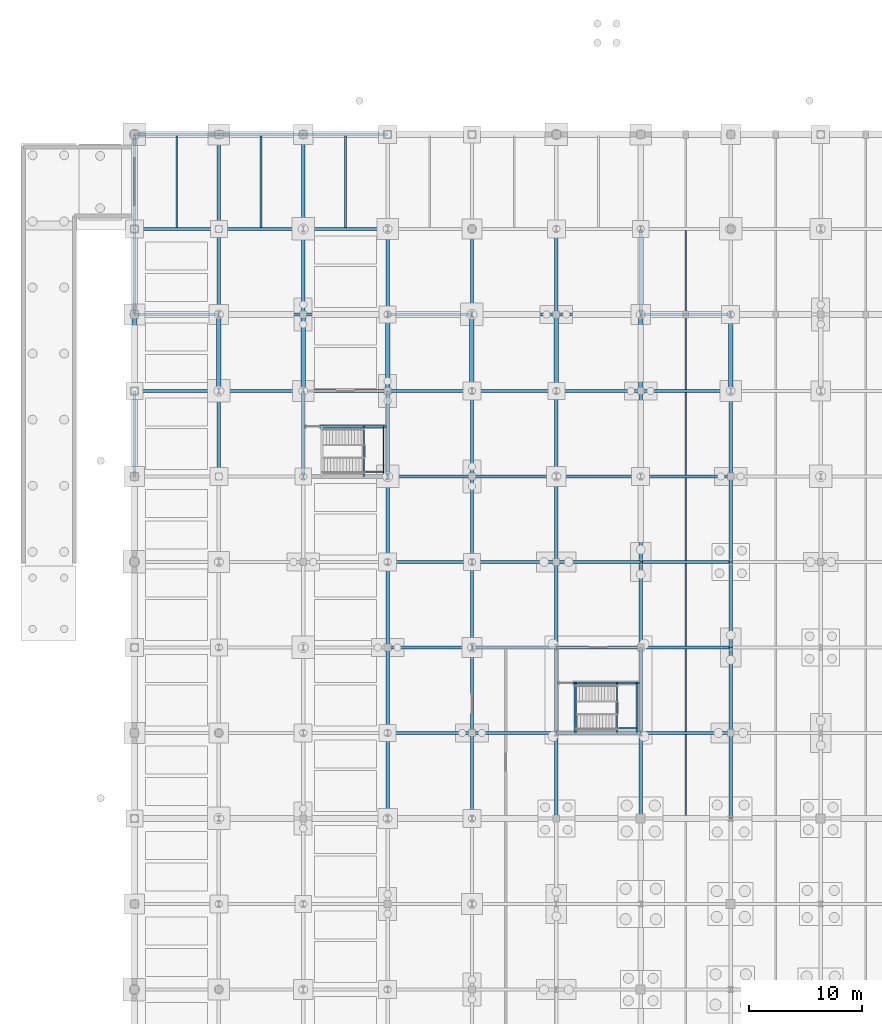
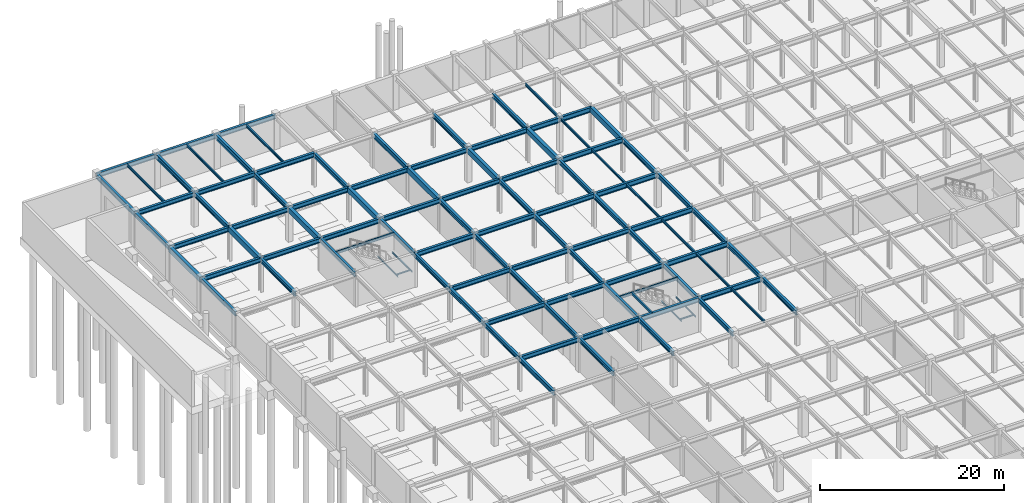
# One storey, part 32 of 53: 101 beams.
"""IFC4 building model written with IfcOpenShell, lengths in metres."""

from ifc_helpers import new_model, si_unit, direction, frame, origin, origin_2d, place, context, subcontext, project, spatial, rectangle, hollow_rectangle, i_section, extrude, material, material_profile, profile_set, type_object, element, save


model = new_model("IFC4")

# Units and contexts
model_context = context("Model", 3, precision=1e-05, world=origin(), true_north=direction((0.0, 1.0)))
body_context = subcontext(model_context, "Body", "Model", "MODEL_VIEW")
ifc_project = project(units=[si_unit("LENGTHUNIT", "METRE"), si_unit("AREAUNIT", "SQUARE_METRE"), si_unit("VOLUMEUNIT", "CUBIC_METRE"), si_unit("PLANEANGLEUNIT", "RADIAN"), si_unit("MASSUNIT", "GRAM", prefix="KILO")], contexts=[model_context])

# Site, building, storey
site_placement = place(None, origin())
site = spatial("IfcSite", under=ifc_project, at=site_placement, CompositionType="ELEMENT")
building_placement = place(site_placement, origin())
building = spatial("IfcBuilding", under=site, at=building_placement, Name="Shalkamar Park Central Library", CompositionType="ELEMENT")
storey_placement = place(building_placement, frame((0.0, 0.0, -4.800048828125)))
storey = spatial("IfcBuildingStorey", under=building, at=storey_placement, Name="B1", CompositionType="ELEMENT", Elevation=-4.800048828125)

# Beams
ifc_material_1 = material(Name="Steel S355", Category="steel")
ifc_material_profile_1 = material_profile(ifc_material_1, i_section(OverallWidth=0.10009765625, OverallDepth=0.199951171875, WebThickness=0.005615234375, FlangeThickness=0.008544921875, FilletRadius=0.011962890625, at=origin_2d()), Name="IPE 200")
ifc_profile_set_1 = profile_set([ifc_material_profile_1], Name="Steel S355")
beam_type_1 = type_object("IfcBeamType", Name="Composite Floor Joist IPE200", PredefinedType="JOIST", material=ifc_profile_set_1)
for number, where, z_axis, x_axis, name in (
    (1, (162.875, 300.800048828125, 2.02001953125), (0.0, 1.0, 0.0), (-1.0, 0.0, 0.0), "Stair Half-Landing Beam ST-P2-B1-1"),
    (2, (164.64501953125, 300.800048828125, 2.02001953125), (0.0, 1.0, 0.0), (-1.0, 0.0, 0.0), "Stair Half-Landing Beam ST-P2-B1-2"),
):
    element("IfcBeam", number, at=place(storey_placement, frame(where, z_axis=z_axis, x_axis=x_axis)), inside=storey, type_object=beam_type_1, Name=name, PredefinedType="JOIST", context=body_context, shape_type="SweptSolid", body=[
        extrude(i_section(OverallWidth=0.10009765625, OverallDepth=0.199951171875, WebThickness=0.005615234375, FlangeThickness=0.008544921875, FilletRadius=0.011962890625, at=origin_2d()), origin(), (0.0, 0.0, 1.0), 4.449951171875),
    ])
beam_1_placement = place(storey_placement, frame((162.875, 301.22509765625, 2.02001953125), z_axis=(1.0, 0.0, 0.0), x_axis=(0.0, 1.0, 0.0)))
element("IfcBeam", 3, at=beam_1_placement, inside=storey, type_object=beam_type_1, Name="Stair Half-Landing Cross Tie ST-P2-B1-3", PredefinedType="JOIST", context=body_context, shape_type="SweptSolid", body=[
    extrude(i_section(OverallWidth=0.10009765625, OverallDepth=0.199951171875, WebThickness=0.005615234375, FlangeThickness=0.008544921875, FilletRadius=0.011962890625, at=origin_2d()), origin(), (0.0, 0.0, 1.0), 1.77001953125),
])
for number, where, z_axis, x_axis, name in (
    (4, (140.375, 323.60009765625, 2.02001953125), (0.0, 1.0, 0.0), (-1.0, 0.0, 0.0), "Stair Half-Landing Beam ST-P5-B1-1"),
    (5, (142.14501953125, 323.60009765625, 2.02001953125), (0.0, 1.0, 0.0), (-1.0, 0.0, 0.0), "Stair Half-Landing Beam ST-P5-B1-2"),
):
    element("IfcBeam", number, at=place(storey_placement, frame(where, z_axis=z_axis, x_axis=x_axis)), inside=storey, type_object=beam_type_1, Name=name, PredefinedType="JOIST", context=body_context, shape_type="SweptSolid", body=[
        extrude(i_section(OverallWidth=0.10009765625, OverallDepth=0.199951171875, WebThickness=0.005615234375, FlangeThickness=0.008544921875, FilletRadius=0.011962890625, at=origin_2d()), origin(), (0.0, 0.0, 1.0), 4.449951171875),
    ])
beam_2_placement = place(storey_placement, frame((140.375, 324.02490234375, 2.02001953125), z_axis=(1.0, 0.0, 0.0), x_axis=(0.0, 1.0, 0.0)))
element("IfcBeam", 6, at=beam_2_placement, inside=storey, type_object=beam_type_1, Name="Stair Half-Landing Cross Tie ST-P5-B1-3", PredefinedType="JOIST", context=body_context, shape_type="SweptSolid", body=[
    extrude(i_section(OverallWidth=0.10009765625, OverallDepth=0.199951171875, WebThickness=0.005615234375, FlangeThickness=0.008544921875, FilletRadius=0.011962890625, at=origin_2d()), origin(), (0.0, 0.0, 1.0), 1.77001953125),
])
ifc_material_profile_2 = material_profile(ifc_material_1, i_section(OverallWidth=0.14990234375, OverallDepth=0.300048828125, WebThickness=0.007080078125, FlangeThickness=0.0107421875, FilletRadius=0.014892578125, at=origin_2d()), Name="IPE 300")
ifc_profile_set_2 = profile_set([ifc_material_profile_2], Name="Steel S355")
beam_type_2 = type_object("IfcBeamType", Name="Composite Floor Joist IPE300", PredefinedType="JOIST", material=ifc_profile_set_2)
for number, where, z_axis, x_axis, name in (
    (7, (169.0, 300.947998046875, 4.360107421875), (0.0, 1.0, 0.0), (-1.0, 0.0, 0.0), "Composite Joist 07/J-1 (B1)"),
    (8, (169.0, 323.748046875, 4.360107421875), (0.0, 1.0, 0.0), (-1.0, 0.0, 0.0), "Composite Joist 07/M-1 (B1)"),
):
    element("IfcBeam", number, at=place(storey_placement, frame(where, z_axis=z_axis, x_axis=x_axis)), inside=storey, type_object=beam_type_2, Name=name, PredefinedType="JOIST", context=body_context, shape_type="SweptSolid", body=[
        extrude(i_section(OverallWidth=0.14990234375, OverallDepth=0.300048828125, WebThickness=0.007080078125, FlangeThickness=0.0107421875, FilletRadius=0.014892578125, at=origin_2d()), origin(), (0.0, 0.0, 1.0), 7.303955078125),
    ])
beam_3_placement = place(storey_placement, frame((169.0, 331.347900390625, 4.360107421875), z_axis=(0.0, 1.0, 0.0), x_axis=(-1.0, 0.0, 0.0)))
element("IfcBeam", 9, at=beam_3_placement, inside=storey, type_object=beam_type_2, Name="Composite Joist 07/N-1 (B1)", PredefinedType="JOIST", context=body_context, shape_type="SweptSolid", body=[
    extrude(i_section(OverallWidth=0.14990234375, OverallDepth=0.300048828125, WebThickness=0.007080078125, FlangeThickness=0.0107421875, FilletRadius=0.014892578125, at=origin_2d()), origin(), (0.0, 0.0, 1.0), 6.504150390625),
])
ifc_material_profile_3 = material_profile(ifc_material_1, i_section(OverallWidth=0.159912109375, OverallDepth=0.330078125, WebThickness=0.007568359375, FlangeThickness=0.011474609375, FilletRadius=0.01806640625, at=origin_2d()), Name="IPE 330")
ifc_profile_set_3 = profile_set([ifc_material_profile_3], Name="Steel S355")
beam_type_3 = type_object("IfcBeamType", Name="Composite Floor Joist IPE330", PredefinedType="JOIST", material=ifc_profile_set_3)
for number, where, z_axis, x_axis, name in (
    (10, (123.75, 345.748046875, 4.344970703125), (0.0, 1.0, 0.0), (-1.0, 0.0, 0.0), "Composite Joist 01/Q-1 (B1)"),
    (11, (131.25, 345.748046875, 4.344970703125), (0.0, 1.0, 0.0), (-1.0, 0.0, 0.0), "Composite Joist 02/Q-1 (B1)"),
    (12, (138.75, 345.748046875, 4.344970703125), (0.0, 1.0, 0.0), (-1.0, 0.0, 0.0), "Composite Joist 03/Q-1 (B1)"),
):
    element("IfcBeam", number, at=place(storey_placement, frame(where, z_axis=z_axis, x_axis=x_axis)), inside=storey, type_object=beam_type_3, Name=name, PredefinedType="JOIST", context=body_context, shape_type="SweptSolid", body=[
        extrude(i_section(OverallWidth=0.159912109375, OverallDepth=0.330078125, WebThickness=0.007568359375, FlangeThickness=0.011474609375, FilletRadius=0.01806640625, at=origin_2d()), origin(), (0.0, 0.0, 1.0), 8.10400390625),
    ])
beam_4_placement = place(storey_placement, frame((169.0, 293.347900390625, 4.344970703125), z_axis=(0.0, 1.0, 0.0), x_axis=(-1.0, 0.0, 0.0)))
element("IfcBeam", 13, at=beam_4_placement, inside=storey, type_object=beam_type_3, Name="Composite Joist 07/H-1 (B1)", PredefinedType="JOIST", context=body_context, shape_type="SweptSolid", body=[
    extrude(i_section(OverallWidth=0.159912109375, OverallDepth=0.330078125, WebThickness=0.007568359375, FlangeThickness=0.011474609375, FilletRadius=0.01806640625, at=origin_2d()), origin(), (0.0, 0.0, 1.0), 7.30419921875),
])
for number, where, z_axis, x_axis, name in (
    (14, (169.0, 308.548095703125, 4.344970703125), (0.0, 1.0, 0.0), (-1.0, 0.0, 0.0), "Composite Joist 07/K-1 (B1)"),
    (15, (169.0, 316.14794921875, 4.344970703125), (0.0, 1.0, 0.0), (-1.0, 0.0, 0.0), "Composite Joist 07/L-1 (B1)"),
    (16, (169.0, 338.14794921875, 4.344970703125), (0.0, 1.0, 0.0), (-1.0, 0.0, 0.0), "Composite Joist 07/P-1 (B1)"),
):
    element("IfcBeam", number, at=place(storey_placement, frame(where, z_axis=z_axis, x_axis=x_axis)), inside=storey, type_object=beam_type_3, Name=name, PredefinedType="JOIST", context=body_context, shape_type="SweptSolid", body=[
        extrude(i_section(OverallWidth=0.159912109375, OverallDepth=0.330078125, WebThickness=0.007568359375, FlangeThickness=0.011474609375, FilletRadius=0.01806640625, at=origin_2d()), origin(), (0.0, 0.0, 1.0), 7.303955078125),
    ])
ifc_material_profile_4 = material_profile(ifc_material_1, i_section(OverallWidth=0.300048828125, OverallDepth=0.60009765625, WebThickness=0.015380859375, FlangeThickness=0.030029296875, FilletRadius=0.027099609375, at=origin_2d()), Name="HEB 600")
ifc_profile_set_4 = profile_set([ifc_material_profile_4], Name="Steel S355")
beam_type_4 = type_object("IfcBeamType", Name="Primary Girder HEB600", PredefinedType="BEAM", material=ifc_profile_set_4)
for number, where, z_axis, x_axis, name in (
    (17, (142.5, 300.800048828125, 4.2099609375), (1.0, 0.0, 0.0), (0.0, 1.0, 0.0), "Beam J:04-05 (B1)"),
    (18, (150.0, 300.800048828125, 4.2099609375), (1.0, 0.0, 0.0), (0.0, 1.0, 0.0), "Beam J:05-06 (B1)"),
    (19, (157.5, 300.800048828125, 4.2099609375), (1.0, 0.0, 0.0), (0.0, 1.0, 0.0), "Beam J:06-07 (B1)"),
    (20, (142.5, 308.39990234375, 4.2099609375), (1.0, 0.0, 0.0), (0.0, 1.0, 0.0), "Beam K:04-05 (B1)"),
    (21, (150.0, 308.39990234375, 4.2099609375), (1.0, 0.0, 0.0), (0.0, 1.0, 0.0), "Beam K:05-06 (B1)"),
    (22, (157.5, 308.39990234375, 4.2099609375), (1.0, 0.0, 0.0), (0.0, 1.0, 0.0), "Beam K:06-07 (B1)"),
    (23, (142.5, 316.0, 4.2099609375), (1.0, 0.0, 0.0), (0.0, 1.0, 0.0), "Beam L:04-05 (B1)"),
    (24, (150.0, 316.0, 4.2099609375), (1.0, 0.0, 0.0), (0.0, 1.0, 0.0), "Beam L:05-06 (B1)"),
    (25, (157.5, 316.0, 4.2099609375), (1.0, 0.0, 0.0), (0.0, 1.0, 0.0), "Beam L:06-07 (B1)"),
    (26, (142.5, 323.60009765625, 4.2099609375), (1.0, 0.0, 0.0), (0.0, 1.0, 0.0), "Beam M:04-05 (B1)"),
    (27, (150.0, 323.60009765625, 4.2099609375), (1.0, 0.0, 0.0), (0.0, 1.0, 0.0), "Beam M:05-06 (B1)"),
    (28, (157.5, 323.60009765625, 4.2099609375), (1.0, 0.0, 0.0), (0.0, 1.0, 0.0), "Beam M:06-07 (B1)"),
    (29, (120.0, 331.199951171875, 4.2099609375), (1.0, 0.0, 0.0), (0.0, 1.0, 0.0), "Beam N:01-02 (B1)"),
    (30, (127.5, 331.199951171875, 4.2099609375), (1.0, 0.0, 0.0), (0.0, 1.0, 0.0), "Beam N:02-03 (B1)"),
    (31, (135.0, 331.199951171875, 4.2099609375), (1.0, 0.0, 0.0), (0.0, 1.0, 0.0), "Beam N:03-04 (B1)"),
    (32, (142.5, 331.199951171875, 4.2099609375), (1.0, 0.0, 0.0), (0.0, 1.0, 0.0), "Beam N:04-05 (B1)"),
    (33, (150.0, 331.199951171875, 4.2099609375), (1.0, 0.0, 0.0), (0.0, 1.0, 0.0), "Beam N:05-06 (B1)"),
    (34, (157.5, 331.199951171875, 4.2099609375), (1.0, 0.0, 0.0), (0.0, 1.0, 0.0), "Beam N:06-07 (B1)"),
    (35, (120.0, 338.0, 4.2099609375), (1.0, 0.0, 0.0), (0.0, 1.0, 0.0), "Beam P:01-02 (B1)"),
    (36, (127.5, 338.0, 4.2099609375), (1.0, 0.0, 0.0), (0.0, 1.0, 0.0), "Beam P:02-03 (B1)"),
    (37, (135.0, 338.0, 4.2099609375), (1.0, 0.0, 0.0), (0.0, 1.0, 0.0), "Beam P:03-04 (B1)"),
    (38, (142.5, 338.0, 4.2099609375), (1.0, 0.0, 0.0), (0.0, 1.0, 0.0), "Beam P:04-05 (B1)"),
    (39, (150.0, 338.0, 4.2099609375), (1.0, 0.0, 0.0), (0.0, 1.0, 0.0), "Beam P:05-06 (B1)"),
    (40, (157.5, 338.0, 4.2099609375), (1.0, 0.0, 0.0), (0.0, 1.0, 0.0), "Beam P:06-07 (B1)"),
    (41, (120.0, 345.60009765625, 4.2099609375), (1.0, 0.0, 0.0), (0.0, 1.0, 0.0), "Beam Q:01-02 (B1)"),
    (42, (127.5, 345.60009765625, 4.2099609375), (1.0, 0.0, 0.0), (0.0, 1.0, 0.0), "Beam Q:02-03 (B1)"),
    (43, (135.0, 345.60009765625, 4.2099609375), (1.0, 0.0, 0.0), (0.0, 1.0, 0.0), "Beam Q:03-04 (B1)"),
    (44, (120.0, 354.0, 4.2099609375), (1.0, 0.0, 0.0), (0.0, 1.0, 0.0), "Beam R:01-02 (B1)"),
    (45, (127.5, 354.0, 4.2099609375), (1.0, 0.0, 0.0), (0.0, 1.0, 0.0), "Beam R:02-03 (B1)"),
    (46, (135.0, 354.0, 4.2099609375), (1.0, 0.0, 0.0), (0.0, 1.0, 0.0), "Beam R:03-04 (B1)"),
):
    element("IfcBeam", number, at=place(storey_placement, frame(where, z_axis=z_axis, x_axis=x_axis)), inside=storey, type_object=beam_type_4, Name=name, PredefinedType="BEAM", context=body_context, shape_type="SweptSolid", body=[
        extrude(i_section(OverallWidth=0.300048828125, OverallDepth=0.60009765625, WebThickness=0.015380859375, FlangeThickness=0.030029296875, FilletRadius=0.027099609375, at=origin_2d()), origin(), (0.0, 0.0, 1.0), 7.5),
    ])
beam_5_placement = place(storey_placement, frame((120.0, 323.60009765625, 4.2099609375), z_axis=(0.0, 1.0, 0.0), x_axis=(-1.0, 0.0, 0.0)))
element("IfcBeam", 47, at=beam_5_placement, inside=storey, type_object=beam_type_4, Name="Beam 01:M-N (B1)", PredefinedType="BEAM", context=body_context, shape_type="SweptSolid", body=[
    extrude(i_section(OverallWidth=0.300048828125, OverallDepth=0.60009765625, WebThickness=0.015380859375, FlangeThickness=0.030029296875, FilletRadius=0.027099609375, at=origin_2d()), origin(), (0.0, 0.0, 1.0), 7.599853515625),
])
beam_6_placement = place(storey_placement, frame((120.0, 338.0, 4.2099609375), z_axis=(0.0, 1.0, 0.0), x_axis=(-1.0, 0.0, 0.0)))
element("IfcBeam", 48, at=beam_6_placement, inside=storey, type_object=beam_type_4, Name="Beam 01:P-Q (B1)", PredefinedType="BEAM", context=body_context, shape_type="SweptSolid", body=[
    extrude(i_section(OverallWidth=0.300048828125, OverallDepth=0.60009765625, WebThickness=0.015380859375, FlangeThickness=0.030029296875, FilletRadius=0.027099609375, at=origin_2d()), origin(), (0.0, 0.0, 1.0), 7.60009765625),
])
beam_7_placement = place(storey_placement, frame((127.5, 323.60009765625, 4.2099609375), z_axis=(0.0, 1.0, 0.0), x_axis=(-1.0, 0.0, 0.0)))
element("IfcBeam", 49, at=beam_7_placement, inside=storey, type_object=beam_type_4, Name="Beam 02:M-N (B1)", PredefinedType="BEAM", context=body_context, shape_type="SweptSolid", body=[
    extrude(i_section(OverallWidth=0.300048828125, OverallDepth=0.60009765625, WebThickness=0.015380859375, FlangeThickness=0.030029296875, FilletRadius=0.027099609375, at=origin_2d()), origin(), (0.0, 0.0, 1.0), 7.599853515625),
])
beam_8_placement = place(storey_placement, frame((127.5, 338.0, 4.2099609375), z_axis=(0.0, 1.0, 0.0), x_axis=(-1.0, 0.0, 0.0)))
element("IfcBeam", 50, at=beam_8_placement, inside=storey, type_object=beam_type_4, Name="Beam 02:P-Q (B1)", PredefinedType="BEAM", context=body_context, shape_type="SweptSolid", body=[
    extrude(i_section(OverallWidth=0.300048828125, OverallDepth=0.60009765625, WebThickness=0.015380859375, FlangeThickness=0.030029296875, FilletRadius=0.027099609375, at=origin_2d()), origin(), (0.0, 0.0, 1.0), 7.60009765625),
])
beam_9_placement = place(storey_placement, frame((135.0, 323.60009765625, 4.2099609375), z_axis=(0.0, 1.0, 0.0), x_axis=(-1.0, 0.0, 0.0)))
element("IfcBeam", 51, at=beam_9_placement, inside=storey, type_object=beam_type_4, Name="Beam 03:M-N (B1)", PredefinedType="BEAM", context=body_context, shape_type="SweptSolid", body=[
    extrude(i_section(OverallWidth=0.300048828125, OverallDepth=0.60009765625, WebThickness=0.015380859375, FlangeThickness=0.030029296875, FilletRadius=0.027099609375, at=origin_2d()), origin(), (0.0, 0.0, 1.0), 7.599853515625),
])
for number, where, z_axis, x_axis, name in (
    (52, (135.0, 338.0, 4.2099609375), (0.0, 1.0, 0.0), (-1.0, 0.0, 0.0), "Beam 03:P-Q (B1)"),
    (53, (142.5, 293.199951171875, 4.2099609375), (0.0, 1.0, 0.0), (-1.0, 0.0, 0.0), "Beam 04:H-J (B1)"),
):
    element("IfcBeam", number, at=place(storey_placement, frame(where, z_axis=z_axis, x_axis=x_axis)), inside=storey, type_object=beam_type_4, Name=name, PredefinedType="BEAM", context=body_context, shape_type="SweptSolid", body=[
        extrude(i_section(OverallWidth=0.300048828125, OverallDepth=0.60009765625, WebThickness=0.015380859375, FlangeThickness=0.030029296875, FilletRadius=0.027099609375, at=origin_2d()), origin(), (0.0, 0.0, 1.0), 7.60009765625),
    ])
beam_10_placement = place(storey_placement, frame((142.5, 300.800048828125, 4.2099609375), z_axis=(0.0, 1.0, 0.0), x_axis=(-1.0, 0.0, 0.0)))
element("IfcBeam", 54, at=beam_10_placement, inside=storey, type_object=beam_type_4, Name="Beam 04:J-K (B1)", PredefinedType="BEAM", context=body_context, shape_type="SweptSolid", body=[
    extrude(i_section(OverallWidth=0.300048828125, OverallDepth=0.60009765625, WebThickness=0.015380859375, FlangeThickness=0.030029296875, FilletRadius=0.027099609375, at=origin_2d()), origin(), (0.0, 0.0, 1.0), 7.599853515625),
])
for number, where, z_axis, x_axis, name in (
    (55, (142.5, 308.39990234375, 4.2099609375), (0.0, 1.0, 0.0), (-1.0, 0.0, 0.0), "Beam 04:K-L (B1)"),
    (56, (142.5, 316.0, 4.2099609375), (0.0, 1.0, 0.0), (-1.0, 0.0, 0.0), "Beam 04:L-M (B1)"),
):
    element("IfcBeam", number, at=place(storey_placement, frame(where, z_axis=z_axis, x_axis=x_axis)), inside=storey, type_object=beam_type_4, Name=name, PredefinedType="BEAM", context=body_context, shape_type="SweptSolid", body=[
        extrude(i_section(OverallWidth=0.300048828125, OverallDepth=0.60009765625, WebThickness=0.015380859375, FlangeThickness=0.030029296875, FilletRadius=0.027099609375, at=origin_2d()), origin(), (0.0, 0.0, 1.0), 7.60009765625),
    ])
beam_11_placement = place(storey_placement, frame((142.5, 323.60009765625, 4.2099609375), z_axis=(0.0, 1.0, 0.0), x_axis=(-1.0, 0.0, 0.0)))
element("IfcBeam", 57, at=beam_11_placement, inside=storey, type_object=beam_type_4, Name="Beam 04:M-N (B1)", PredefinedType="BEAM", context=body_context, shape_type="SweptSolid", body=[
    extrude(i_section(OverallWidth=0.300048828125, OverallDepth=0.60009765625, WebThickness=0.015380859375, FlangeThickness=0.030029296875, FilletRadius=0.027099609375, at=origin_2d()), origin(), (0.0, 0.0, 1.0), 7.599853515625),
])
for number, where, z_axis, x_axis, name in (
    (58, (142.5, 338.0, 4.2099609375), (0.0, 1.0, 0.0), (-1.0, 0.0, 0.0), "Beam 04:P-Q (B1)"),
    (59, (150.0, 293.199951171875, 4.2099609375), (0.0, 1.0, 0.0), (-1.0, 0.0, 0.0), "Beam 05:H-J (B1)"),
):
    element("IfcBeam", number, at=place(storey_placement, frame(where, z_axis=z_axis, x_axis=x_axis)), inside=storey, type_object=beam_type_4, Name=name, PredefinedType="BEAM", context=body_context, shape_type="SweptSolid", body=[
        extrude(i_section(OverallWidth=0.300048828125, OverallDepth=0.60009765625, WebThickness=0.015380859375, FlangeThickness=0.030029296875, FilletRadius=0.027099609375, at=origin_2d()), origin(), (0.0, 0.0, 1.0), 7.60009765625),
    ])
beam_12_placement = place(storey_placement, frame((150.0, 300.800048828125, 4.2099609375), z_axis=(0.0, 1.0, 0.0), x_axis=(-1.0, 0.0, 0.0)))
element("IfcBeam", 60, at=beam_12_placement, inside=storey, type_object=beam_type_4, Name="Beam 05:J-K (B1)", PredefinedType="BEAM", context=body_context, shape_type="SweptSolid", body=[
    extrude(i_section(OverallWidth=0.300048828125, OverallDepth=0.60009765625, WebThickness=0.015380859375, FlangeThickness=0.030029296875, FilletRadius=0.027099609375, at=origin_2d()), origin(), (0.0, 0.0, 1.0), 7.599853515625),
])
for number, where, z_axis, x_axis, name in (
    (61, (150.0, 308.39990234375, 4.2099609375), (0.0, 1.0, 0.0), (-1.0, 0.0, 0.0), "Beam 05:K-L (B1)"),
    (62, (150.0, 316.0, 4.2099609375), (0.0, 1.0, 0.0), (-1.0, 0.0, 0.0), "Beam 05:L-M (B1)"),
):
    element("IfcBeam", number, at=place(storey_placement, frame(where, z_axis=z_axis, x_axis=x_axis)), inside=storey, type_object=beam_type_4, Name=name, PredefinedType="BEAM", context=body_context, shape_type="SweptSolid", body=[
        extrude(i_section(OverallWidth=0.300048828125, OverallDepth=0.60009765625, WebThickness=0.015380859375, FlangeThickness=0.030029296875, FilletRadius=0.027099609375, at=origin_2d()), origin(), (0.0, 0.0, 1.0), 7.60009765625),
    ])
beam_13_placement = place(storey_placement, frame((150.0, 323.60009765625, 4.2099609375), z_axis=(0.0, 1.0, 0.0), x_axis=(-1.0, 0.0, 0.0)))
element("IfcBeam", 63, at=beam_13_placement, inside=storey, type_object=beam_type_4, Name="Beam 05:M-N (B1)", PredefinedType="BEAM", context=body_context, shape_type="SweptSolid", body=[
    extrude(i_section(OverallWidth=0.300048828125, OverallDepth=0.60009765625, WebThickness=0.015380859375, FlangeThickness=0.030029296875, FilletRadius=0.027099609375, at=origin_2d()), origin(), (0.0, 0.0, 1.0), 7.599853515625),
])
for number, where, z_axis, x_axis, name in (
    (64, (150.0, 338.0, 4.2099609375), (0.0, 1.0, 0.0), (-1.0, 0.0, 0.0), "Beam 05:P-Q (B1)"),
    (65, (157.5, 293.199951171875, 4.2099609375), (0.0, 1.0, 0.0), (-1.0, 0.0, 0.0), "Beam 06:H-J (B1)"),
):
    element("IfcBeam", number, at=place(storey_placement, frame(where, z_axis=z_axis, x_axis=x_axis)), inside=storey, type_object=beam_type_4, Name=name, PredefinedType="BEAM", context=body_context, shape_type="SweptSolid", body=[
        extrude(i_section(OverallWidth=0.300048828125, OverallDepth=0.60009765625, WebThickness=0.015380859375, FlangeThickness=0.030029296875, FilletRadius=0.027099609375, at=origin_2d()), origin(), (0.0, 0.0, 1.0), 7.60009765625),
    ])
beam_14_placement = place(storey_placement, frame((157.5, 300.800048828125, 4.2099609375), z_axis=(0.0, 1.0, 0.0), x_axis=(-1.0, 0.0, 0.0)))
element("IfcBeam", 66, at=beam_14_placement, inside=storey, type_object=beam_type_4, Name="Beam 06:J-K (B1)", PredefinedType="BEAM", context=body_context, shape_type="SweptSolid", body=[
    extrude(i_section(OverallWidth=0.300048828125, OverallDepth=0.60009765625, WebThickness=0.015380859375, FlangeThickness=0.030029296875, FilletRadius=0.027099609375, at=origin_2d()), origin(), (0.0, 0.0, 1.0), 7.599853515625),
])
for number, where, z_axis, x_axis, name in (
    (67, (157.5, 308.39990234375, 4.2099609375), (0.0, 1.0, 0.0), (-1.0, 0.0, 0.0), "Beam 06:K-L (B1)"),
    (68, (157.5, 316.0, 4.2099609375), (0.0, 1.0, 0.0), (-1.0, 0.0, 0.0), "Beam 06:L-M (B1)"),
):
    element("IfcBeam", number, at=place(storey_placement, frame(where, z_axis=z_axis, x_axis=x_axis)), inside=storey, type_object=beam_type_4, Name=name, PredefinedType="BEAM", context=body_context, shape_type="SweptSolid", body=[
        extrude(i_section(OverallWidth=0.300048828125, OverallDepth=0.60009765625, WebThickness=0.015380859375, FlangeThickness=0.030029296875, FilletRadius=0.027099609375, at=origin_2d()), origin(), (0.0, 0.0, 1.0), 7.60009765625),
    ])
beam_15_placement = place(storey_placement, frame((157.5, 323.60009765625, 4.2099609375), z_axis=(0.0, 1.0, 0.0), x_axis=(-1.0, 0.0, 0.0)))
element("IfcBeam", 69, at=beam_15_placement, inside=storey, type_object=beam_type_4, Name="Beam 06:M-N (B1)", PredefinedType="BEAM", context=body_context, shape_type="SweptSolid", body=[
    extrude(i_section(OverallWidth=0.300048828125, OverallDepth=0.60009765625, WebThickness=0.015380859375, FlangeThickness=0.030029296875, FilletRadius=0.027099609375, at=origin_2d()), origin(), (0.0, 0.0, 1.0), 7.599853515625),
])
for number, where, z_axis, x_axis, name in (
    (70, (157.5, 338.0, 4.2099609375), (0.0, 1.0, 0.0), (-1.0, 0.0, 0.0), "Beam 06:P-Q (B1)"),
    (71, (165.0, 293.199951171875, 4.2099609375), (0.0, 1.0, 0.0), (-1.0, 0.0, 0.0), "Beam 07:H-J (B1)"),
):
    element("IfcBeam", number, at=place(storey_placement, frame(where, z_axis=z_axis, x_axis=x_axis)), inside=storey, type_object=beam_type_4, Name=name, PredefinedType="BEAM", context=body_context, shape_type="SweptSolid", body=[
        extrude(i_section(OverallWidth=0.300048828125, OverallDepth=0.60009765625, WebThickness=0.015380859375, FlangeThickness=0.030029296875, FilletRadius=0.027099609375, at=origin_2d()), origin(), (0.0, 0.0, 1.0), 7.60009765625),
    ])
beam_16_placement = place(storey_placement, frame((165.0, 300.800048828125, 4.2099609375), z_axis=(0.0, 1.0, 0.0), x_axis=(-1.0, 0.0, 0.0)))
element("IfcBeam", 72, at=beam_16_placement, inside=storey, type_object=beam_type_4, Name="Beam 07:J-K (B1)", PredefinedType="BEAM", context=body_context, shape_type="SweptSolid", body=[
    extrude(i_section(OverallWidth=0.300048828125, OverallDepth=0.60009765625, WebThickness=0.015380859375, FlangeThickness=0.030029296875, FilletRadius=0.027099609375, at=origin_2d()), origin(), (0.0, 0.0, 1.0), 7.599853515625),
])
for number, where, z_axis, x_axis, name in (
    (73, (165.0, 308.39990234375, 4.2099609375), (0.0, 1.0, 0.0), (-1.0, 0.0, 0.0), "Beam 07:K-L (B1)"),
    (74, (165.0, 316.0, 4.2099609375), (0.0, 1.0, 0.0), (-1.0, 0.0, 0.0), "Beam 07:L-M (B1)"),
):
    element("IfcBeam", number, at=place(storey_placement, frame(where, z_axis=z_axis, x_axis=x_axis)), inside=storey, type_object=beam_type_4, Name=name, PredefinedType="BEAM", context=body_context, shape_type="SweptSolid", body=[
        extrude(i_section(OverallWidth=0.300048828125, OverallDepth=0.60009765625, WebThickness=0.015380859375, FlangeThickness=0.030029296875, FilletRadius=0.027099609375, at=origin_2d()), origin(), (0.0, 0.0, 1.0), 7.60009765625),
    ])
beam_17_placement = place(storey_placement, frame((165.0, 323.60009765625, 4.2099609375), z_axis=(0.0, 1.0, 0.0), x_axis=(-1.0, 0.0, 0.0)))
element("IfcBeam", 75, at=beam_17_placement, inside=storey, type_object=beam_type_4, Name="Beam 07:M-N (B1)", PredefinedType="BEAM", context=body_context, shape_type="SweptSolid", body=[
    extrude(i_section(OverallWidth=0.300048828125, OverallDepth=0.60009765625, WebThickness=0.015380859375, FlangeThickness=0.030029296875, FilletRadius=0.027099609375, at=origin_2d()), origin(), (0.0, 0.0, 1.0), 7.599853515625),
])
for number, where, z_axis, x_axis, name in (
    (76, (165.0, 338.0, 4.2099609375), (0.0, 1.0, 0.0), (-1.0, 0.0, 0.0), "Beam 07:P-Q (B1)"),
    (77, (173.0, 293.199951171875, 4.2099609375), (0.0, 1.0, 0.0), (-1.0, 0.0, 0.0), "Beam 08:H-J (B1)"),
):
    element("IfcBeam", number, at=place(storey_placement, frame(where, z_axis=z_axis, x_axis=x_axis)), inside=storey, type_object=beam_type_4, Name=name, PredefinedType="BEAM", context=body_context, shape_type="SweptSolid", body=[
        extrude(i_section(OverallWidth=0.300048828125, OverallDepth=0.60009765625, WebThickness=0.015380859375, FlangeThickness=0.030029296875, FilletRadius=0.027099609375, at=origin_2d()), origin(), (0.0, 0.0, 1.0), 7.60009765625),
    ])
beam_18_placement = place(storey_placement, frame((173.0, 300.800048828125, 4.2099609375), z_axis=(0.0, 1.0, 0.0), x_axis=(-1.0, 0.0, 0.0)))
element("IfcBeam", 78, at=beam_18_placement, inside=storey, type_object=beam_type_4, Name="Beam 08:J-K (B1)", PredefinedType="BEAM", context=body_context, shape_type="SweptSolid", body=[
    extrude(i_section(OverallWidth=0.300048828125, OverallDepth=0.60009765625, WebThickness=0.015380859375, FlangeThickness=0.030029296875, FilletRadius=0.027099609375, at=origin_2d()), origin(), (0.0, 0.0, 1.0), 7.599853515625),
])
for number, where, z_axis, x_axis, name in (
    (79, (173.0, 308.39990234375, 4.2099609375), (0.0, 1.0, 0.0), (-1.0, 0.0, 0.0), "Beam 08:K-L (B1)"),
    (80, (173.0, 316.0, 4.2099609375), (0.0, 1.0, 0.0), (-1.0, 0.0, 0.0), "Beam 08:L-M (B1)"),
):
    element("IfcBeam", number, at=place(storey_placement, frame(where, z_axis=z_axis, x_axis=x_axis)), inside=storey, type_object=beam_type_4, Name=name, PredefinedType="BEAM", context=body_context, shape_type="SweptSolid", body=[
        extrude(i_section(OverallWidth=0.300048828125, OverallDepth=0.60009765625, WebThickness=0.015380859375, FlangeThickness=0.030029296875, FilletRadius=0.027099609375, at=origin_2d()), origin(), (0.0, 0.0, 1.0), 7.60009765625),
    ])
beam_19_placement = place(storey_placement, frame((173.0, 323.60009765625, 4.2099609375), z_axis=(0.0, 1.0, 0.0), x_axis=(-1.0, 0.0, 0.0)))
element("IfcBeam", 81, at=beam_19_placement, inside=storey, type_object=beam_type_4, Name="Beam 08:M-N (B1)", PredefinedType="BEAM", context=body_context, shape_type="SweptSolid", body=[
    extrude(i_section(OverallWidth=0.300048828125, OverallDepth=0.60009765625, WebThickness=0.015380859375, FlangeThickness=0.030029296875, FilletRadius=0.027099609375, at=origin_2d()), origin(), (0.0, 0.0, 1.0), 7.599853515625),
])
ifc_material_profile_5 = material_profile(ifc_material_1, i_section(OverallWidth=0.300048828125, OverallDepth=0.64990234375, WebThickness=0.01611328125, FlangeThickness=0.031005859375, FilletRadius=0.027099609375, at=origin_2d()), Name="HEB 650")
ifc_profile_set_5 = profile_set([ifc_material_profile_5], Name="Steel S355")
beam_type_5 = type_object("IfcBeamType", Name="Primary Girder HEB650", PredefinedType="BEAM", material=ifc_profile_set_5)
for number, where, z_axis, x_axis, name in (
    (82, (165.0, 300.800048828125, 4.18505859375), (1.0, 0.0, 0.0), (0.0, 1.0, 0.0), "Beam J:07-08 (B1)"),
    (83, (165.0, 308.39990234375, 4.18505859375), (1.0, 0.0, 0.0), (0.0, 1.0, 0.0), "Beam K:07-08 (B1)"),
    (84, (165.0, 316.0, 4.18505859375), (1.0, 0.0, 0.0), (0.0, 1.0, 0.0), "Beam L:07-08 (B1)"),
    (85, (165.0, 323.60009765625, 4.18505859375), (1.0, 0.0, 0.0), (0.0, 1.0, 0.0), "Beam M:07-08 (B1)"),
    (86, (165.0, 331.199951171875, 4.18505859375), (1.0, 0.0, 0.0), (0.0, 1.0, 0.0), "Beam N:07-08 (B1)"),
    (87, (165.0, 338.0, 4.18505859375), (1.0, 0.0, 0.0), (0.0, 1.0, 0.0), "Beam P:07-08 (B1)"),
):
    element("IfcBeam", number, at=place(storey_placement, frame(where, z_axis=z_axis, x_axis=x_axis)), inside=storey, type_object=beam_type_5, Name=name, PredefinedType="BEAM", context=body_context, shape_type="SweptSolid", body=[
        extrude(i_section(OverallWidth=0.300048828125, OverallDepth=0.64990234375, WebThickness=0.01611328125, FlangeThickness=0.031005859375, FilletRadius=0.027099609375, at=origin_2d()), origin(), (0.0, 0.0, 1.0), 8.0),
    ])
for number, where, z_axis, x_axis, name in (
    (88, (120.0, 345.60009765625, 4.18505859375), (0.0, 1.0, 0.0), (-1.0, 0.0, 0.0), "Beam 01:Q-R (B1)"),
    (89, (127.5, 345.60009765625, 4.18505859375), (0.0, 1.0, 0.0), (-1.0, 0.0, 0.0), "Beam 02:Q-R (B1)"),
    (90, (135.0, 345.60009765625, 4.18505859375), (0.0, 1.0, 0.0), (-1.0, 0.0, 0.0), "Beam 03:Q-R (B1)"),
):
    element("IfcBeam", number, at=place(storey_placement, frame(where, z_axis=z_axis, x_axis=x_axis)), inside=storey, type_object=beam_type_5, Name=name, PredefinedType="BEAM", context=body_context, shape_type="SweptSolid", body=[
        extrude(i_section(OverallWidth=0.300048828125, OverallDepth=0.64990234375, WebThickness=0.01611328125, FlangeThickness=0.031005859375, FilletRadius=0.027099609375, at=origin_2d()), origin(), (0.0, 0.0, 1.0), 8.39990234375),
    ])
ifc_material_profile_6 = material_profile(ifc_material_1, i_section(OverallWidth=0.169921875, OverallDepth=0.360107421875, WebThickness=0.008056640625, FlangeThickness=0.0126953125, FilletRadius=0.01806640625, at=origin_2d()), Name="IPE 360")
ifc_profile_set_6 = profile_set([ifc_material_profile_6], Name="Steel S355")
beam_type_6 = type_object("IfcBeamType", Name="Primary Girder IPE360", PredefinedType="BEAM", material=ifc_profile_set_6)
for number, where, z_axis, x_axis, name in (
    (91, (157.587890625, 305.25, 4.330078125), (1.0, 0.0, 0.0), (0.0, 1.0, 0.0), "CORE-P2 Stairwell Divider Beam (B1)"),
    (92, (135.087890625, 328.050048828125, 4.330078125), (1.0, 0.0, 0.0), (0.0, 1.0, 0.0), "CORE-P5 Stairwell Divider Beam (B1)"),
):
    element("IfcBeam", number, at=place(storey_placement, frame(where, z_axis=z_axis, x_axis=x_axis)), inside=storey, type_object=beam_type_6, Name=name, PredefinedType="BEAM", context=body_context, shape_type="SweptSolid", body=[
        extrude(i_section(OverallWidth=0.169921875, OverallDepth=0.360107421875, WebThickness=0.008056640625, FlangeThickness=0.0126953125, FilletRadius=0.01806640625, at=origin_2d()), origin(), (0.0, 0.0, 1.0), 7.32421875),
    ])
ifc_material_profile_7 = material_profile(ifc_material_1, hollow_rectangle(XDim=0.199951171875, YDim=0.300048828125, WallThickness=0.011962890625, InnerFilletRadius=0.011962890625, OuterFilletRadius=0.01806640625, at=origin_2d()), Name="RHS 300x200x12")
ifc_profile_set_7 = profile_set([ifc_material_profile_7], Name="Steel S355")
beam_type_7 = type_object("IfcBeamType", Name="Stair Trimmer Box RHS300x200", PredefinedType="BEAM", material=ifc_profile_set_7)
beam_20_placement = place(storey_placement, frame((159.175048828125, 300.800048828125, 4.360107421875), z_axis=(0.0, 1.0, 0.0), x_axis=(-1.0, 0.0, 0.0)))
element("IfcBeam", 93, at=beam_20_placement, inside=storey, type_object=beam_type_7, Name="Stair Arrival Trimmer Girder ST-P2-B1", PredefinedType="BEAM", context=body_context, shape_type="SweptSolid", body=[
    extrude(hollow_rectangle(XDim=0.199951171875, YDim=0.300048828125, WallThickness=0.011962890625, InnerFilletRadius=0.011962890625, OuterFilletRadius=0.01806640625, at=origin_2d()), origin(), (0.0, 0.0, 1.0), 4.449951171875),
])
ifc_material_2 = material(Name="Concrete C35/45", Category="concrete")
ifc_material_profile_8 = material_profile(ifc_material_2, rectangle(XDim=0.39990234375, YDim=0.699951171875, at=origin_2d()), Name="RC 400x700")
ifc_profile_set_8 = profile_set([ifc_material_profile_8], Name="Concrete C35/45")
beam_type_8 = type_object("IfcBeamType", Name="Substructure Plinth Beam RC400x700", PredefinedType="BEAM", material=ifc_profile_set_8)
for number, where, z_axis, x_axis, name in (
    (94, (120.0, 331.199951171875, 4.16015625), (0.0, 1.0, 0.0), (-1.0, 0.0, 0.0), "Beam 01:N-P (B1)"),
    (95, (127.5, 331.199951171875, 4.16015625), (0.0, 1.0, 0.0), (-1.0, 0.0, 0.0), "Beam 02:N-P (B1)"),
    (96, (135.0, 331.199951171875, 4.16015625), (0.0, 1.0, 0.0), (-1.0, 0.0, 0.0), "Beam 03:N-P (B1)"),
    (97, (142.5, 331.199951171875, 4.16015625), (0.0, 1.0, 0.0), (-1.0, 0.0, 0.0), "Beam 04:N-P (B1)"),
    (98, (150.0, 331.199951171875, 4.16015625), (0.0, 1.0, 0.0), (-1.0, 0.0, 0.0), "Beam 05:N-P (B1)"),
    (99, (157.5, 331.199951171875, 4.16015625), (0.0, 1.0, 0.0), (-1.0, 0.0, 0.0), "Beam 06:N-P (B1)"),
    (100, (165.0, 331.199951171875, 4.16015625), (0.0, 1.0, 0.0), (-1.0, 0.0, 0.0), "Beam 07:N-P (B1)"),
    (101, (173.0, 331.199951171875, 4.16015625), (0.0, 1.0, 0.0), (-1.0, 0.0, 0.0), "Beam 08:N-P (B1)"),
):
    element("IfcBeam", number, at=place(storey_placement, frame(where, z_axis=z_axis, x_axis=x_axis)), inside=storey, type_object=beam_type_8, Name=name, PredefinedType="BEAM", context=body_context, shape_type="SweptSolid", body=[
        extrude(rectangle(XDim=0.39990234375, YDim=0.699951171875, at=origin_2d()), origin(), (0.0, 0.0, 1.0), 6.800048828125),
    ])

save(model, "model.ifc")
